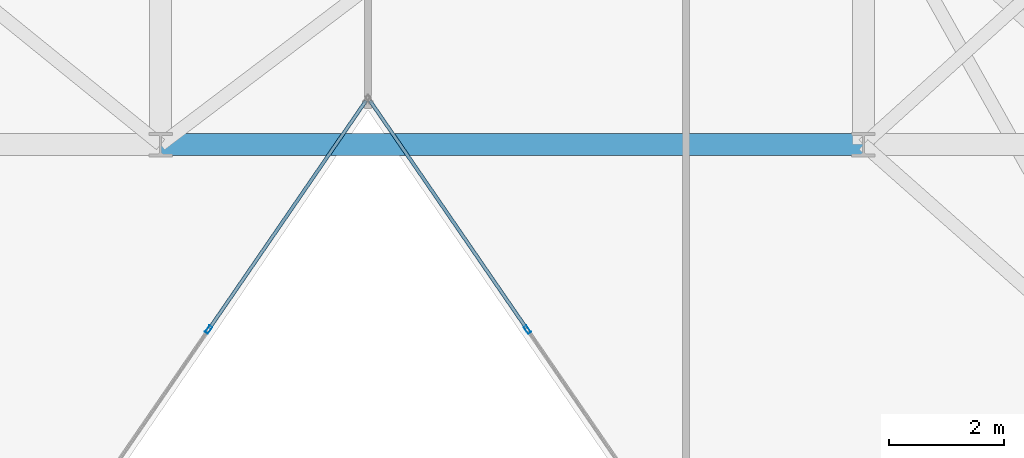
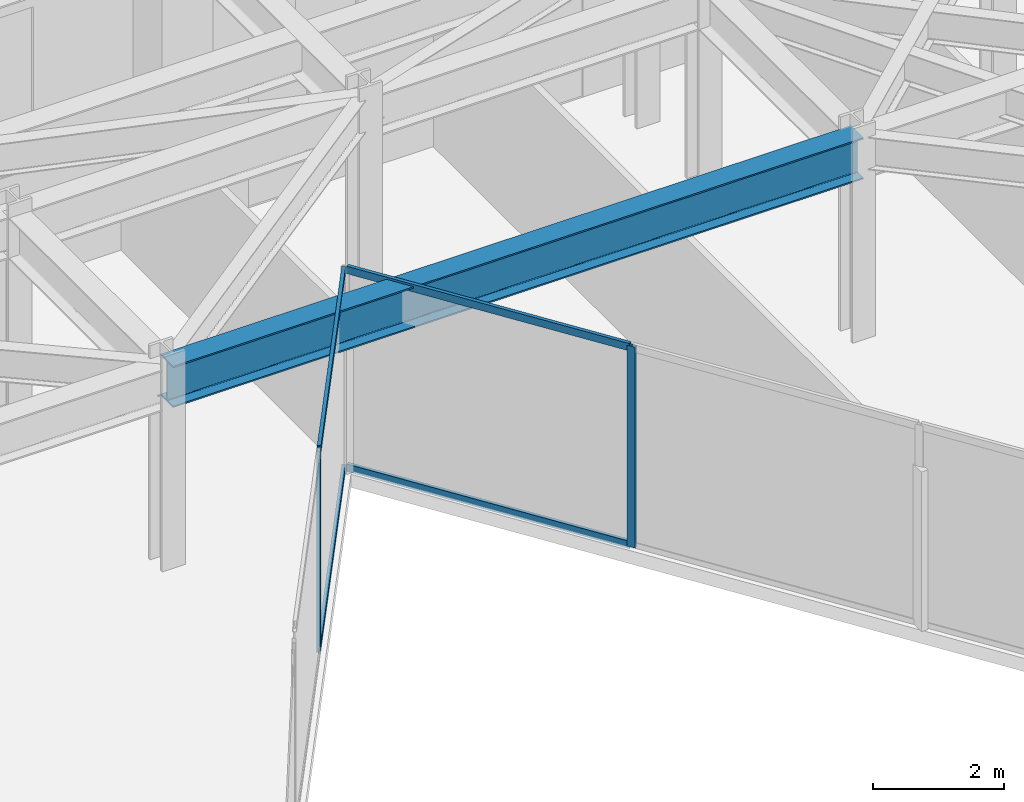
# One storey, part 8 of 26: 6 members, 1 beam, 2 elements without a shape of their own.
"""IFC4 building model written with IfcOpenShell, lengths in metres."""

from ifc_helpers import new_model, si_unit, direction, frame, origin, origin_2d, place, context, subcontext, project, spatial, hollow_rectangle, i_section, extrude, material, layer, layer_set, material_profile, profile_set, type_object, element, aggregate, save


model = new_model("IFC4")

# Units and contexts
model_context = context("Model", 3, precision=1e-05, world=origin(), true_north=direction((0.0, 1.0)))
body_context = subcontext(model_context, "Body", "Model", "MODEL_VIEW")
ifc_project = project(units=[si_unit("LENGTHUNIT", "METRE"), si_unit("AREAUNIT", "SQUARE_METRE"), si_unit("VOLUMEUNIT", "CUBIC_METRE"), si_unit("PLANEANGLEUNIT", "RADIAN"), si_unit("MASSUNIT", "GRAM", prefix="KILO")], contexts=[model_context])

# Site, building, storey
site_placement = place(None, origin())
site = spatial("IfcSite", under=ifc_project, at=site_placement, CompositionType="ELEMENT")
building_placement = place(site_placement, origin())
building = spatial("IfcBuilding", under=site, at=building_placement, Name="Kravanh Interchange Tower", CompositionType="ELEMENT")
storey_placement = place(building_placement, frame((0.0, 0.0, 172.5)))
storey = spatial("IfcBuildingStorey", under=building, at=storey_placement, Name="L41", CompositionType="ELEMENT", Elevation=172.5)

# Curtain wall, member
ifc_material_1 = material(Name="Anodised Bronze Aluminium", Category="aluminium")
ifc_layer = layer(ifc_material_1, 0.179931640625)
ifc_layer_set = layer_set([ifc_layer], Name="Unitised Curtain Wall System CW-Z3 Upper Office")
curtain_wall_type = type_object("IfcCurtainWallType", Name="Unitised Curtain Wall System CW-Z3 Upper Office", PredefinedType="NOTDEFINED", material=ifc_layer_set)
curtain_wall_1_placement = place(storey_placement, origin())
curtain_wall_1 = element("IfcCurtainWall", 1, at=curtain_wall_1_placement, inside=storey, type_object=curtain_wall_type, Name="L41 Unitised Curtain Wall CW-L41-04", PredefinedType="NOTDEFINED")
ifc_material_2 = material(Name="Anodised Bronze Aluminium", Category="aluminium")
ifc_material_profile_1 = material_profile(ifc_material_2, hollow_rectangle(XDim=0.06005859375, YDim=0.139892578125, WallThickness=0.00390625, at=origin_2d()), Name="ALU60X140X4")
ifc_profile_set_1 = profile_set([ifc_material_profile_1], Name="Anodised Bronze Aluminium")
member_type_1 = type_object("IfcMemberType", Name="Curtain Wall Mullion ALU60X140X4 Bronze", PredefinedType="MULLION", material=ifc_profile_set_1)
member_1_placement = place(storey_placement, frame((44.9658203125, 23.5888671875, 0.0), z_axis=(0.0, 0.0, 1.0), x_axis=(-0.824042223035, -0.566528388217, 0.0)))
member_1 = element("IfcMember", 2, at=member_1_placement, type_object=member_type_1, Name="CW-Z3 mullion 4", PredefinedType="MULLION", context=body_context, shape_type="SweptSolid", body=[
    extrude(hollow_rectangle(XDim=0.06005859375, YDim=0.139892578125, WallThickness=0.00390625, at=origin_2d()), origin(), (0.0, 0.0, 1.0), 3.7548828125),
])

curtain_wall_2_placement = place(storey_placement, origin())
curtain_wall_2 = element("IfcCurtainWall", 3, at=curtain_wall_2_placement, inside=storey, type_object=curtain_wall_type, Name="L41 Unitised Curtain Wall CW-L41-05", PredefinedType="NOTDEFINED")
member_2_placement = place(storey_placement, frame((39.434326171875, 23.5888671875, 0.0), z_axis=(0.0, 0.0, 1.0), x_axis=(0.824042223035, -0.566528388217, 0.0)))
member_2 = element("IfcMember", 4, at=member_2_placement, type_object=member_type_1, Name="CW-Z3 mullion 2", PredefinedType="MULLION", context=body_context, shape_type="SweptSolid", body=[
    extrude(hollow_rectangle(XDim=0.06005859375, YDim=0.139892578125, WallThickness=0.00390625, at=origin_2d()), origin(), (0.0, 0.0, 1.0), 3.7548828125),
])

# Member
ifc_material_3 = material(Name="Anodised Bronze Aluminium", Category="aluminium")
ifc_material_profile_2 = material_profile(ifc_material_3, hollow_rectangle(XDim=0.06005859375, YDim=0.139892578125, WallThickness=0.00390625, at=origin_2d()), Name="ALU60X140X4")
ifc_profile_set_2 = profile_set([ifc_material_profile_2], Name="Anodised Bronze Aluminium")
member_type_2 = type_object("IfcMemberType", Name="Curtain Wall Transom ALU60X140X4 Bronze", PredefinedType="USERDEFINED", material=ifc_profile_set_2)
member_3_placement = place(storey_placement, frame((44.94873046875, 23.613525390625, 0.030029296875), z_axis=(-0.566541796314, 0.824033004818, 0.0), x_axis=(-0.824033004818, -0.566541796314, 0.0)))
member_3 = element("IfcMember", 5, at=member_3_placement, type_object=member_type_2, Name="CW-Z3 transom 4.1", ObjectType="TRANSOM", PredefinedType="USERDEFINED", context=body_context, shape_type="SweptSolid", body=[
    extrude(hollow_rectangle(XDim=0.06005859375, YDim=0.139892578125, WallThickness=0.00390625, at=origin_2d()), origin(), (0.0, 0.0, 1.0), 4.7919921875),
])

member_4_placement = place(storey_placement, frame((44.94873046875, 23.613525390625, 3.72509765625), z_axis=(-0.566541796314, 0.824033004818, 0.0), x_axis=(-0.824033004818, -0.566541796314, 0.0)))
member_4 = element("IfcMember", 6, at=member_4_placement, type_object=member_type_2, Name="CW-Z3 transom 4.2", ObjectType="TRANSOM", PredefinedType="USERDEFINED", context=body_context, shape_type="SweptSolid", body=[
    extrude(hollow_rectangle(XDim=0.06005859375, YDim=0.139892578125, WallThickness=0.00390625, at=origin_2d()), origin(), (0.0, 0.0, 1.0), 4.7919921875),
])

aggregate(curtain_wall_1, [member_1, member_3, member_4])

member_5_placement = place(storey_placement, frame((42.166015625, 27.562255859375, 0.030029296875), z_axis=(-0.566541796314, -0.824033004818, 0.0), x_axis=(0.824033004818, -0.566541796314, 0.0)))
member_5 = element("IfcMember", 7, at=member_5_placement, type_object=member_type_2, Name="CW-Z3 transom 1.1", ObjectType="TRANSOM", PredefinedType="USERDEFINED", context=body_context, shape_type="SweptSolid", body=[
    extrude(hollow_rectangle(XDim=0.06005859375, YDim=0.139892578125, WallThickness=0.00390625, at=origin_2d()), origin(), (0.0, 0.0, 1.0), 4.7919921875),
])

member_6_placement = place(storey_placement, frame((42.166015625, 27.562255859375, 3.72509765625), z_axis=(-0.566541796314, -0.824033004818, 0.0), x_axis=(0.824033004818, -0.566541796314, 0.0)))
member_6 = element("IfcMember", 8, at=member_6_placement, type_object=member_type_2, Name="CW-Z3 transom 1.2", ObjectType="TRANSOM", PredefinedType="USERDEFINED", context=body_context, shape_type="SweptSolid", body=[
    extrude(hollow_rectangle(XDim=0.06005859375, YDim=0.139892578125, WallThickness=0.00390625, at=origin_2d()), origin(), (0.0, 0.0, 1.0), 4.7919921875),
])

aggregate(curtain_wall_2, [member_2, member_5, member_6])

# Beam
ifc_material_4 = material(Name="Structural Steel S355", Category="steel")
ifc_material_profile_3 = material_profile(ifc_material_4, i_section(OverallWidth=0.381103515625, OverallDepth=0.77294921875, WebThickness=0.0166015625, FlangeThickness=0.027099609375, FilletRadius=0.02490234375, at=origin_2d()), Name="W30X173")
ifc_profile_set_3 = profile_set([ifc_material_profile_3], Name="Structural Steel S355")
beam_type = type_object("IfcBeamType", Name="Floor Beam W30X173 Structural Steel S355", PredefinedType="BEAM", material=ifc_profile_set_3)
beam_placement = place(storey_placement, frame((38.60009765625, 26.800048828125, 3.368408203125), z_axis=(1.0, 0.0, 0.0), x_axis=(0.0, 1.0, 0.0)))
element("IfcBeam", 9, at=beam_placement, inside=storey, type_object=beam_type, Name="L41 Primary Floor Girder 48", PredefinedType="BEAM", context=body_context, shape_type="SweptSolid", body=[
    extrude(i_section(OverallWidth=0.381103515625, OverallDepth=0.77294921875, WebThickness=0.0166015625, FlangeThickness=0.027099609375, FilletRadius=0.02490234375, at=origin_2d()), origin(), (0.0, 0.0, 1.0), 12.199951171875),
])

save(model, "model.ifc")
